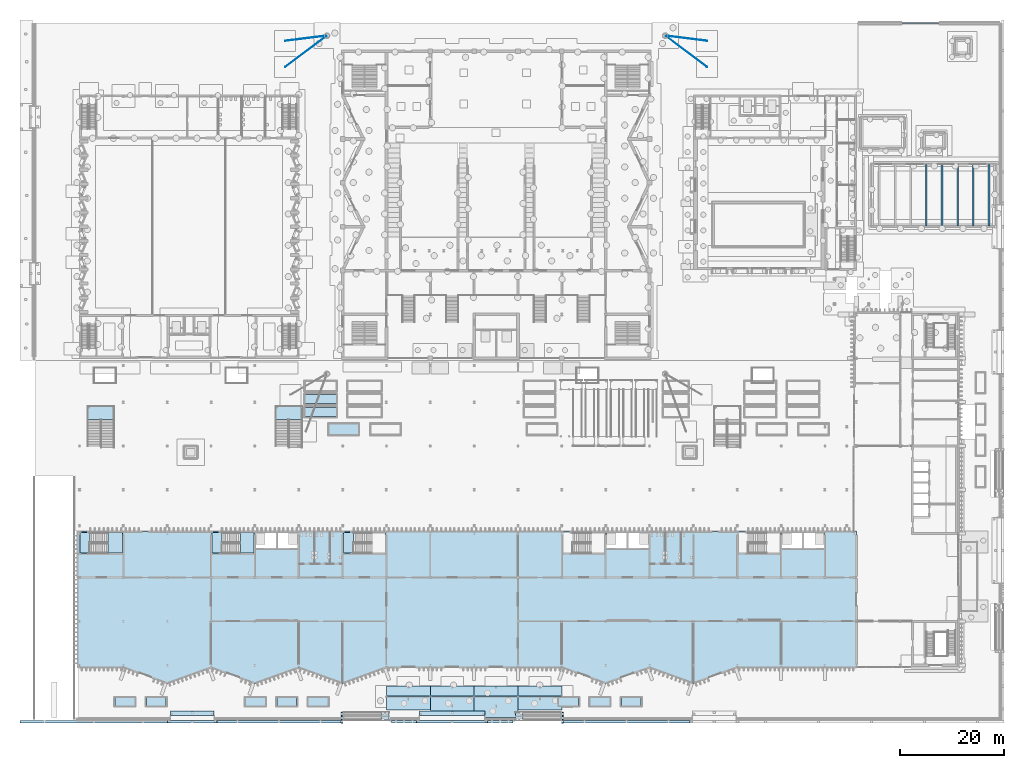
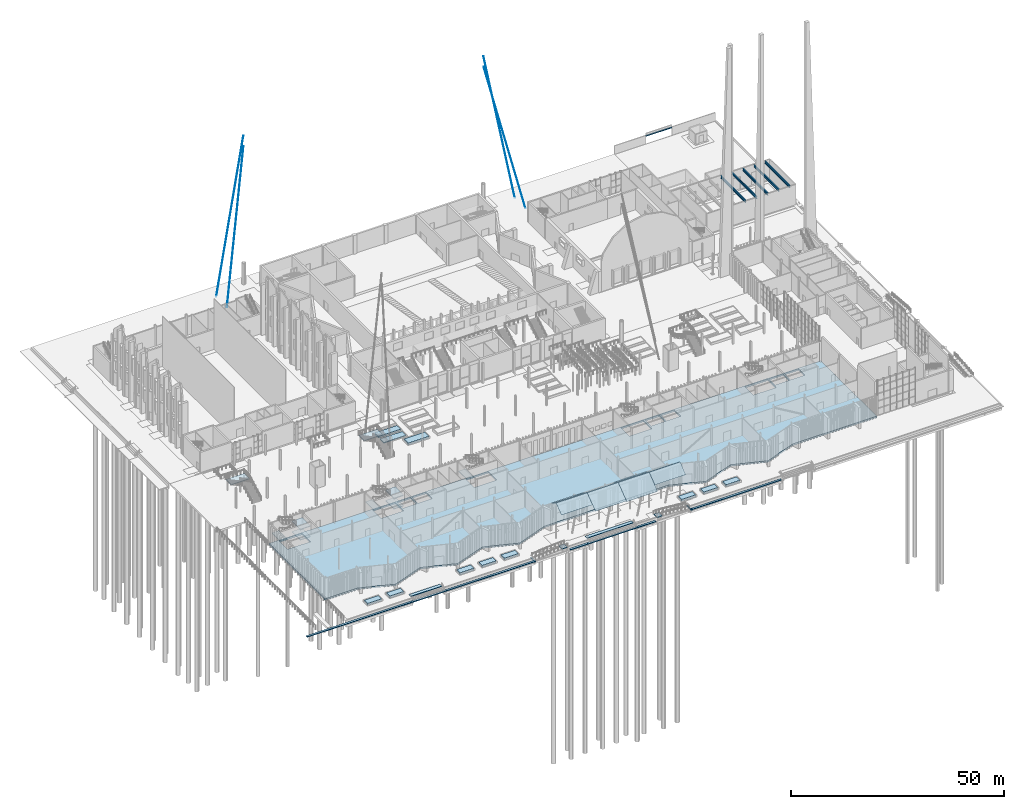
# One storey, part 45 of 108: 42 slabs, 6 beams, 4 members, 7 elements without a shape of their own.
"""IFC4 building model written with IfcOpenShell, lengths in metres."""

from ifc_helpers import new_model, si_unit, direction, frame, origin, origin_2d, place, context, subcontext, project, spatial, polyline, circle, i_section, outline, extrude, material, layer, layer_set, material_profile, profile_set, type_object, element, aggregate, save


model = new_model("IFC4")

# Units and contexts
model_context = context("Model", 3, precision=1e-05, world=origin(), true_north=direction((0.0, 1.0)))
body_context = subcontext(model_context, "Body", "Model", "MODEL_VIEW")
ifc_project = project(units=[si_unit("LENGTHUNIT", "METRE"), si_unit("AREAUNIT", "SQUARE_METRE"), si_unit("VOLUMEUNIT", "CUBIC_METRE"), si_unit("PLANEANGLEUNIT", "RADIAN"), si_unit("MASSUNIT", "GRAM", prefix="KILO")], contexts=[model_context])

# Site, building, storey
site_placement = place(None, origin())
site = spatial("IfcSite", under=ifc_project, at=site_placement, CompositionType="ELEMENT")
building_placement = place(site_placement, origin())
building = spatial("IfcBuilding", under=site, at=building_placement, Name="Cresset Court Congress Hotel", CompositionType="ELEMENT")
storey_placement = place(building_placement, origin())
storey = spatial("IfcBuildingStorey", under=building, at=storey_placement, Name="L00", CompositionType="ELEMENT", Elevation=0.0)

# Members
ifc_material_1 = material(Name="Structural steel Q355B", Category="steel")
ifc_material_profile_1 = material_profile(ifc_material_1, circle(Radius=0.035888671875, at=origin_2d()), Name="CABLE72")
ifc_profile_set_1 = profile_set([ifc_material_profile_1], Name="Structural steel Q355B")
member_type = type_object("IfcMemberType", Name="Back-tie cable 72", PredefinedType="USERDEFINED", material=ifc_profile_set_1)
member_1_placement = place(storey_placement, frame((120.692626953125, 120.58837890625, 42.30078125), z_axis=(0.182453047958, -0.022806630995, -0.982950020537), x_axis=(0.124034734589, 0.992277876714, 0.0)))
element("IfcMember", 1, at=member_1_placement, inside=storey, type_object=member_type, Name="Back-tie cable M3-1", ObjectType="CABLE", PredefinedType="USERDEFINED", context=body_context, shape_type="SweptSolid", body=[
    extrude(circle(Radius=0.035888671875, at=origin_2d()), origin(), (0.0, 0.0, 1.0), 43.3330078125),
])
member_2_placement = place(storey_placement, frame((120.6982421875, 120.5263671875, 39.30712890625), z_axis=(0.193572326793, -0.145182236199, -0.970284428708), x_axis=(0.600007911402, 0.799994066387, 0.0)))
element("IfcMember", 2, at=member_2_placement, inside=storey, type_object=member_type, Name="Back-tie cable M3-2", ObjectType="CABLE", PredefinedType="USERDEFINED", context=body_context, shape_type="SweptSolid", body=[
    extrude(circle(Radius=0.035888671875, at=origin_2d()), origin(), (0.0, 0.0, 1.0), 40.81103515625),
])
member_3_placement = place(storey_placement, frame((55.707275390625, 120.58837890625, 42.30078125), z_axis=(-0.182447601453, -0.022806654439, -0.982951030946), x_axis=(0.124038505902, -0.992277405292, 0.0)))
element("IfcMember", 3, at=member_3_placement, inside=storey, type_object=member_type, Name="Back-tie cable M4-1", ObjectType="CABLE", PredefinedType="USERDEFINED", context=body_context, shape_type="SweptSolid", body=[
    extrude(circle(Radius=0.035888671875, at=origin_2d()), origin(), (0.0, 0.0, 1.0), 43.3330078125),
])
member_4_placement = place(storey_placement, frame((55.70166015625, 120.5263671875, 39.30712890625), z_axis=(-0.193572326793, -0.145182236199, -0.970284428708), x_axis=(0.600007911402, -0.799994066387, 0.0)))
element("IfcMember", 4, at=member_4_placement, inside=storey, type_object=member_type, Name="Back-tie cable M4-2", ObjectType="CABLE", PredefinedType="USERDEFINED", context=body_context, shape_type="SweptSolid", body=[
    extrude(circle(Radius=0.035888671875, at=origin_2d()), origin(), (0.0, 0.0, 1.0), 40.81103515625),
])

# Beams
ifc_material_2 = material(Name="Structural steel Q355B", Category="steel")
ifc_material_profile_2 = material_profile(ifc_material_2, i_section(OverallWidth=0.14990234375, OverallDepth=0.300048828125, WebThickness=0.006591796875, FlangeThickness=0.009033203125, FilletRadius=0.012939453125, at=origin_2d()), Name="HN300x150x6.5x9")
ifc_profile_set_2 = profile_set([ifc_material_profile_2], Name="Structural steel Q355B")
beam_type_1 = type_object("IfcBeamType", Name="Steel beam HN300x150x6.5x9", PredefinedType="BEAM", material=ifc_profile_set_2)
beam_placement = place(storey_placement, frame((166.0, 123.0, 2.25), z_axis=(1.0, 0.0, 0.0), x_axis=(0.0, 1.0, 0.0)))
element("IfcBeam", 5, at=beam_placement, inside=storey, type_object=beam_type_1, Name="Gate lintel", PredefinedType="BEAM", context=body_context, shape_type="SweptSolid", body=[
    extrude(i_section(OverallWidth=0.14990234375, OverallDepth=0.300048828125, WebThickness=0.006591796875, FlangeThickness=0.009033203125, FilletRadius=0.012939453125, at=origin_2d()), origin(), (0.0, 0.0, 1.0), 7.0),
])
ifc_material_3 = material(Name="Structural steel Q355B", Category="steel")
ifc_material_profile_3 = material_profile(ifc_material_3, i_section(OverallWidth=0.300048828125, OverallDepth=0.699951171875, WebThickness=0.012939453125, FlangeThickness=0.02392578125, FilletRadius=0.01806640625, at=origin_2d()), Name="HN700x300x13x24")
ifc_profile_set_3 = profile_set([ifc_material_profile_3], Name="Structural steel Q355B")
beam_type_2 = type_object("IfcBeamType", Name="Steel beam HN700x300x13x24", PredefinedType="BEAM", material=ifc_profile_set_3)
for number, where, z_axis, x_axis, name in (
    (6, (170.625, 84.125, 5.39990234375), (0.0, 1.0, 0.0), (-1.0, 0.0, 0.0), "S.svc.DK.B04"),
    (7, (173.625, 84.125, 5.39990234375), (0.0, 1.0, 0.0), (-1.0, 0.0, 0.0), "S.svc.DK.B05"),
    (8, (176.625, 84.125, 5.39990234375), (0.0, 1.0, 0.0), (-1.0, 0.0, 0.0), "S.svc.DK.B06"),
    (9, (179.625, 84.125, 5.39990234375), (0.0, 1.0, 0.0), (-1.0, 0.0, 0.0), "S.svc.DK.B07"),
    (10, (182.625, 84.125, 5.39990234375), (0.0, 1.0, 0.0), (-1.0, 0.0, 0.0), "S.svc.DK.B08"),
):
    element("IfcBeam", number, at=place(storey_placement, frame(where, z_axis=z_axis, x_axis=x_axis)), inside=storey, type_object=beam_type_2, Name=name, PredefinedType="BEAM", context=body_context, shape_type="SweptSolid", body=[
        extrude(i_section(OverallWidth=0.300048828125, OverallDepth=0.699951171875, WebThickness=0.012939453125, FlangeThickness=0.02392578125, FilletRadius=0.01806640625, at=origin_2d()), origin(), (0.0, 0.0, 1.0), 11.75),
    ])

# Slabs
ifc_material_4 = material(Name="Concrete C50", Category="concrete")
ifc_layer_1 = layer(ifc_material_4, 0.1201171875)
ifc_layer_set_1 = layer_set([ifc_layer_1], Name="Forecourt canopy plate 120")
slab_type_1 = type_object("IfcSlabType", Name="Forecourt canopy plate 120", PredefinedType="ROOF", material=ifc_layer_set_1)
slab_1_placement = place(storey_placement, frame((67.199951171875, -5.9228515625, 10.07373046875), z_axis=(0.0, 0.514527776165, 0.857473712457), x_axis=(1.0, 0.0, 0.0)))
element("IfcSlab", 11, at=slab_1_placement, inside=storey, type_object=slab_type_1, Name="Forecourt canopy plate back 1", PredefinedType="ROOF", context=body_context, shape_type="SweptSolid", body=[
    extrude(outline(polyline([(0.0, 0.0), (8.400146484375, 0.0), (8.400146484375, 2.242461237662771), (0.0, 2.242461237662771), (0.0, 0.0)])), origin(), (0.0, 0.0, -1.0), 0.1201171875),
])
slab_2_placement = place(storey_placement, frame((67.199951171875, -6.0712890625, 10.065185546875), z_axis=(0.0, -0.609677476051, 0.792649591683), x_axis=(1.0, 0.0, 0.0)))
element("IfcSlab", 12, at=slab_2_placement, inside=storey, type_object=slab_type_1, Name="Forecourt canopy plate front 1", PredefinedType="ROOF", context=body_context, shape_type="SweptSolid", body=[
    extrude(outline(polyline([(0.0, 0.0), (8.400146484375, 0.0), (8.400146484375, -3.190323467372174), (0.0, -3.190323467372174), (0.0, 0.0)])), origin(), (0.0, 0.0, -1.0), 0.1201171875),
])
slab_3_placement = place(storey_placement, frame((75.60009765625, -5.93310546875, 10.059814453125), z_axis=(0.0, 0.668954358612, 0.743303481826), x_axis=(1.0, 0.0, 0.0)))
element("IfcSlab", 13, at=slab_3_placement, inside=storey, type_object=slab_type_1, Name="Forecourt canopy plate back 2", PredefinedType="ROOF", context=body_context, shape_type="SweptSolid", body=[
    extrude(outline(polyline([(0.0, 0.0), (8.39990234375, 0.0), (8.39990234375, 2.600694757950179), (0.0, 2.600694757950179), (0.0, 0.0)])), origin(), (0.0, 0.0, -1.0), 0.1201171875),
])
slab_4_placement = place(storey_placement, frame((75.60009765625, -6.072021484375, 10.06591796875), z_axis=(0.0, -0.59997613196, 0.800017900473), x_axis=(1.0, 0.0, 0.0)))
element("IfcSlab", 14, at=slab_4_placement, inside=storey, type_object=slab_type_1, Name="Forecourt canopy plate front 2", PredefinedType="ROOF", context=body_context, shape_type="SweptSolid", body=[
    extrude(outline(polyline([(0.0, 0.0), (8.39990234375, 0.0), (8.39990234375, -4.909863283435159), (0.0, -4.909863283435159), (0.0, 0.0)])), origin(), (0.0, 0.0, -1.0), 0.1201171875),
])
slab_5_placement = place(storey_placement, frame((84.0, -5.9228515625, 10.07373046875), z_axis=(0.0, 0.514527776165, 0.857473712457), x_axis=(1.0, 0.0, 0.0)))
element("IfcSlab", 15, at=slab_5_placement, inside=storey, type_object=slab_type_1, Name="Forecourt canopy plate back 3", PredefinedType="ROOF", context=body_context, shape_type="SweptSolid", body=[
    extrude(outline(polyline([(0.0, 0.0), (8.39990234375, 0.0), (8.39990234375, 2.2424612376627704), (0.0, 2.2424612376627704), (0.0, 0.0)])), origin(), (0.0, 0.0, -1.0), 0.1201171875),
])
slab_6_placement = place(storey_placement, frame((84.0, -6.0703125, 10.063720703125), z_axis=(0.0, -0.624700963747, 0.780864076452), x_axis=(1.0, 0.0, 0.0)))
element("IfcSlab", 16, at=slab_6_placement, inside=storey, type_object=slab_type_1, Name="Forecourt canopy plate front 3", PredefinedType="ROOF", context=body_context, shape_type="SweptSolid", body=[
    extrude(outline(polyline([(0.0, 0.0), (8.39990234375, 0.0), (8.39990234375, -5.032485958189687), (0.0, -5.032485958189687), (0.0, 0.0)])), origin(), (0.0, 0.0, -1.0), 0.1201171875),
])
slab_7_placement = place(storey_placement, frame((92.39990234375, -5.93310546875, 10.059814453125), z_axis=(0.0, 0.668954358612, 0.743303481826), x_axis=(1.0, 0.0, 0.0)))
element("IfcSlab", 17, at=slab_7_placement, inside=storey, type_object=slab_type_1, Name="Forecourt canopy plate back 4", PredefinedType="ROOF", context=body_context, shape_type="SweptSolid", body=[
    extrude(outline(polyline([(0.0, 0.0), (8.400146484375, 0.0), (8.400146484375, 2.6006947579501793), (0.0, 2.6006947579501793), (0.0, 0.0)])), origin(), (0.0, 0.0, -1.0), 0.1201171875),
])
slab_8_placement = place(storey_placement, frame((92.39990234375, -6.068603515625, 10.06201171875), z_axis=(0.0, -0.64595214219, 0.763377907724), x_axis=(1.0, 0.0, 0.0)))
element("IfcSlab", 18, at=slab_8_placement, inside=storey, type_object=slab_type_1, Name="Forecourt canopy plate front 4", PredefinedType="ROOF", context=body_context, shape_type="SweptSolid", body=[
    extrude(outline(polyline([(0.0, 0.0), (8.400146484375, 0.0), (8.400146484375, -3.3161742238181047), (0.0, -3.3161742238181047), (0.0, 0.0)])), origin(), (0.0, 0.0, -1.0), 0.1201171875),
])
ifc_material_5 = material(Name="Concrete C40", Category="concrete")
ifc_layer_2 = layer(ifc_material_5, 0.449951171875)
ifc_layer_set_2 = layer_set([ifc_layer_2], Name="Ground floor slab 450")
slab_type_2 = type_object("IfcSlabType", Name="Ground floor slab 450", PredefinedType="FLOOR", material=ifc_layer_set_2)
slab_9_placement = place(storey_placement, frame((0.0, 0.0, -0.449951171875)))
element("IfcSlab", 19, at=slab_9_placement, inside=storey, type_object=slab_type_2, Name="Ground floor slab", PredefinedType="FLOOR", context=body_context, shape_type="SweptSolid", body=[
    extrude(outline(polyline([(58.800048828125, -3.550048828125), (50.39990234375, -0.550048828125), (42.0, -3.550048828125), (33.60009765625, -0.550048828125), (25.199951171875, -3.550048828125), (16.800048828125, -0.5), (7.89990234375, -0.5), (7.89990234375, 25.699951171875), (157.199951171875, 25.699951171875), (157.199951171875, -0.5), (134.39990234375, -0.5), (126.0, -3.550048828125), (117.60009765625, -0.550048828125), (109.199951171875, -3.550048828125), (100.800048828125, -0.5), (67.199951171875, -0.5), (58.800048828125, -3.550048828125)]), holes=[polyline([(10.380859375, 21.449951171875), (16.64990234375, 21.449951171875), (16.64990234375, 25.39990234375), (10.380859375, 25.39990234375), (10.380859375, 21.449951171875)]), polyline([(35.70068359375, 21.449951171875), (41.85009765625, 21.449951171875), (41.85009765625, 25.39990234375), (35.70068359375, 25.39990234375), (35.70068359375, 21.449951171875)]), polyline([(60.90087890625, 21.449951171875), (67.050048828125, 21.449951171875), (67.050048828125, 25.39990234375), (60.90087890625, 25.39990234375), (60.90087890625, 21.449951171875)]), polyline([(102.90087890625, 21.449951171875), (109.050048828125, 21.449951171875), (109.050048828125, 25.39990234375), (102.90087890625, 25.39990234375), (102.90087890625, 21.449951171875)]), polyline([(136.500732421875, 21.449951171875), (142.64990234375, 21.449951171875), (142.64990234375, 25.39990234375), (136.500732421875, 25.39990234375), (136.500732421875, 21.449951171875)]), polyline([(42.199951171875, 22.449951171875), (46.050048828125, 22.449951171875), (46.050048828125, 25.39990234375), (42.199951171875, 25.39990234375), (42.199951171875, 22.449951171875)]), polyline([(46.35009765625, 22.449951171875), (50.199951171875, 22.449951171875), (50.199951171875, 25.39990234375), (46.35009765625, 25.39990234375), (46.35009765625, 22.449951171875)]), polyline([(109.39990234375, 22.449951171875), (113.25, 22.449951171875), (113.25, 25.39990234375), (109.39990234375, 25.39990234375), (109.39990234375, 22.449951171875)]), polyline([(113.550048828125, 22.449951171875), (117.39990234375, 22.449951171875), (117.39990234375, 25.39990234375), (113.550048828125, 25.39990234375), (113.550048828125, 22.449951171875)]), polyline([(143.0, 22.449951171875), (146.85009765625, 22.449951171875), (146.85009765625, 25.39990234375), (143.0, 25.39990234375), (143.0, 22.449951171875)]), polyline([(147.14990234375, 22.449951171875), (151.0, 22.449951171875), (151.0, 25.39990234375), (147.14990234375, 25.39990234375), (147.14990234375, 22.449951171875)])]), origin(), (0.0, 0.0, 1.0), 0.449951171875),
])
ifc_material_6 = material(Name="Concrete C35", Category="concrete")
ifc_layer_3 = layer(ifc_material_6, 0.199951171875)
ifc_layer_set_3 = layer_set([ifc_layer_3], Name="Landing slab 200")
slab_type_3 = type_object("IfcSlabType", Name="Landing slab 200", PredefinedType="LANDING", material=ifc_layer_set_3)
slab_10_placement = place(storey_placement, frame((0.0, 0.0, -0.800048828125)))
element("IfcSlab", 20, at=slab_10_placement, inside=storey, type_object=slab_type_3, Name="Step foot landing S1", PredefinedType="LANDING", context=body_context, shape_type="SweptSolid", body=[
    extrude(outline(polyline([(25.300048828125, -11.097900390625), (34.699951171875, -11.097900390625), (34.699951171875, -10.550048828125), (25.300048828125, -10.550048828125), (25.300048828125, -11.097900390625)])), origin(), (0.0, 0.0, 1.0), 0.199951171875),
])
slab_11_placement = place(storey_placement, frame((0.0, 0.0, -0.800048828125)))
element("IfcSlab", 21, at=slab_11_placement, inside=storey, type_object=slab_type_3, Name="Step foot landing S2", PredefinedType="LANDING", context=body_context, shape_type="SweptSolid", body=[
    extrude(outline(polyline([(73.0, -11.097900390625), (86.60009765625, -11.097900390625), (86.60009765625, -10.550048828125), (73.0, -10.550048828125), (73.0, -11.097900390625)])), origin(), (0.0, 0.0, 1.0), 0.199951171875),
])
slab_12_placement = place(storey_placement, frame((0.0, 0.0, -0.199951171875)))
element("IfcSlab", 22, at=slab_12_placement, inside=storey, type_object=slab_type_3, Name="Step landing T", PredefinedType="LANDING", context=body_context, shape_type="SweptSolid", body=[
    extrude(outline(polyline([(25.800048828125, -9.64990234375), (34.199951171875, -9.64990234375), (34.199951171875, -8.75), (25.800048828125, -8.75), (25.800048828125, -9.64990234375)])), origin(), (0.0, 0.0, 1.0), 0.199951171875),
])
slab_13_placement = place(storey_placement, frame((0.0, 0.0, -0.199951171875)))
element("IfcSlab", 23, at=slab_13_placement, inside=storey, type_object=slab_type_3, Name="Step landing T", PredefinedType="LANDING", context=body_context, shape_type="SweptSolid", body=[
    extrude(outline(polyline([(73.5, -9.64990234375), (86.10009765625, -9.64990234375), (86.10009765625, -8.75), (73.5, -8.75), (73.5, -9.64990234375)])), origin(), (0.0, 0.0, 1.0), 0.199951171875),
])
slab_14_placement = place(storey_placement, frame((0.0, 0.0, -0.800048828125)))
element("IfcSlab", 24, at=slab_14_placement, inside=storey, type_object=slab_type_3, Name="Ramp foot landing S01", PredefinedType="LANDING", context=body_context, shape_type="SweptSolid", body=[
    extrude(outline(polyline([(58.5, -11.097900390625), (58.800048828125, -11.097900390625), (58.800048828125, -9.050048828125), (58.5, -9.050048828125), (58.5, -11.097900390625)])), origin(), (0.0, 0.0, 1.0), 0.199951171875),
])
slab_15_placement = place(storey_placement, frame((0.0, 0.0, -0.800048828125)))
element("IfcSlab", 25, at=slab_15_placement, inside=storey, type_object=slab_type_3, Name="Ramp foot landing S02", PredefinedType="LANDING", context=body_context, shape_type="SweptSolid", body=[
    extrude(outline(polyline([(100.800048828125, -11.097900390625), (101.10009765625, -11.097900390625), (101.10009765625, -9.050048828125), (100.800048828125, -9.050048828125), (100.800048828125, -11.097900390625)])), origin(), (0.0, 0.0, 1.0), 0.199951171875),
])

# Ramp, slab
ifc_material_7 = material(Name="Concrete C35", Category="concrete")
ramp_type = type_object("IfcRampType", Name="Ramp 1:12", PredefinedType="STRAIGHT_RUN_RAMP", material=ifc_material_7)
ramp_1_placement = place(storey_placement, origin())
ramp_1 = element("IfcRamp", 26, at=ramp_1_placement, inside=storey, type_object=ramp_type, Name="Entrance ramp S01", PredefinedType="STRAIGHT_RUN_RAMP")
ifc_material_8 = material(Name="Concrete C35", Category="concrete")
ifc_layer_4 = layer(ifc_material_8, 0.20068359375)
ifc_layer_set_4 = layer_set([ifc_layer_4], Name="Landing slab 201")
slab_type_4 = type_object("IfcSlabType", Name="Landing slab 201", PredefinedType="LANDING", material=ifc_layer_set_4)
slab_16_placement = place(storey_placement, frame((0.0, 0.0, -0.20068359375)))
slab_16 = element("IfcSlab", 27, at=slab_16_placement, type_object=slab_type_4, Name="S.ramp.L00.S01.L1", PredefinedType="LANDING", context=body_context, shape_type="SweptSolid", body=[
    extrude(outline(polyline([(66.199951171875, -9.050048828125), (66.199951171875, -10.550048828125), (67.699951171875, -10.550048828125), (67.699951171875, -9.050048828125), (66.199951171875, -9.050048828125)])), origin(), (0.0, 0.0, 1.0), 0.20068359375),
])
aggregate(ramp_1, [slab_16])

ramp_2_placement = place(storey_placement, origin())
ramp_2 = element("IfcRamp", 28, at=ramp_2_placement, inside=storey, type_object=ramp_type, Name="Entrance ramp S02", PredefinedType="STRAIGHT_RUN_RAMP")
slab_17_placement = place(storey_placement, frame((0.0, 0.0, -0.20068359375)))
slab_17 = element("IfcSlab", 29, at=slab_17_placement, type_object=slab_type_4, Name="S.ramp.L00.S02.L1", PredefinedType="LANDING", context=body_context, shape_type="SweptSolid", body=[
    extrude(outline(polyline([(93.39990234375, -10.550048828125), (93.39990234375, -9.050048828125), (91.89990234375, -9.050048828125), (91.89990234375, -10.550048828125), (93.39990234375, -10.550048828125)])), origin(), (0.0, 0.0, 1.0), 0.20068359375),
])
aggregate(ramp_2, [slab_17])

# Slabs
ifc_material_9 = material(Name="Planting soil")
ifc_layer_5 = layer(ifc_material_9, 0.25)
ifc_layer_set_5 = layer_set([ifc_layer_5], Name="Planter soil 250")
slab_type_5 = type_object("IfcSlabType", Name="Planter soil 250", PredefinedType="FLOOR", material=ifc_layer_set_5)
slab_18_placement = place(storey_placement, origin())
element("IfcSlab", 30, at=slab_18_placement, inside=storey, type_object=slab_type_5, Name="Terrace planting bed 01", PredefinedType="FLOOR", context=body_context, shape_type="SweptSolid", body=[
    extrude(outline(polyline([(51.60009765625, 47.60009765625), (57.60009765625, 47.60009765625), (57.60009765625, 49.39990234375), (51.60009765625, 49.39990234375), (51.60009765625, 47.60009765625)])), origin(), (0.0, 0.0, 1.0), 0.25),
])
ifc_material_10 = material(Name="Planting soil")
ifc_layer_6 = layer(ifc_material_10, 0.449951171875)
ifc_layer_set_6 = layer_set([ifc_layer_6], Name="Planter soil 450")
slab_type_6 = type_object("IfcSlabType", Name="Planter soil 450", PredefinedType="FLOOR", material=ifc_layer_set_6)
slab_19_placement = place(storey_placement, origin())
element("IfcSlab", 31, at=slab_19_placement, inside=storey, type_object=slab_type_6, Name="Terrace planting bed 02", PredefinedType="FLOOR", context=body_context, shape_type="SweptSolid", body=[
    extrude(outline(polyline([(51.60009765625, 50.10009765625), (57.60009765625, 50.10009765625), (57.60009765625, 51.89990234375), (51.60009765625, 51.89990234375), (51.60009765625, 50.10009765625)])), origin(), (0.0, 0.0, 1.0), 0.449951171875),
])
ifc_material_11 = material(Name="Planting soil")
ifc_layer_7 = layer(ifc_material_11, 0.550048828125)
ifc_layer_set_7 = layer_set([ifc_layer_7], Name="Planter soil 550")
slab_type_7 = type_object("IfcSlabType", Name="Planter soil 550", PredefinedType="FLOOR", material=ifc_layer_set_7)
slab_20_placement = place(storey_placement, origin())
element("IfcSlab", 32, at=slab_20_placement, inside=storey, type_object=slab_type_7, Name="Planting bed 01", PredefinedType="FLOOR", context=body_context, shape_type="SweptSolid", body=[
    extrude(outline(polyline([(40.199951171875, -7.800048828125), (44.0, -7.800048828125), (44.0, -6.199951171875), (40.199951171875, -6.199951171875), (40.199951171875, -7.800048828125)])), origin(), (0.0, 0.0, 1.0), 0.550048828125),
])
slab_21_placement = place(storey_placement, origin())
element("IfcSlab", 33, at=slab_21_placement, inside=storey, type_object=slab_type_7, Name="Planting bed 02", PredefinedType="FLOOR", context=body_context, shape_type="SweptSolid", body=[
    extrude(outline(polyline([(46.199951171875, -7.800048828125), (50.0, -7.800048828125), (50.0, -6.199951171875), (46.199951171875, -6.199951171875), (46.199951171875, -7.800048828125)])), origin(), (0.0, 0.0, 1.0), 0.550048828125),
])
slab_22_placement = place(storey_placement, origin())
element("IfcSlab", 34, at=slab_22_placement, inside=storey, type_object=slab_type_7, Name="Planting bed 03", PredefinedType="FLOOR", context=body_context, shape_type="SweptSolid", body=[
    extrude(outline(polyline([(52.199951171875, -7.800048828125), (56.0, -7.800048828125), (56.0, -6.199951171875), (52.199951171875, -6.199951171875), (52.199951171875, -7.800048828125)])), origin(), (0.0, 0.0, 1.0), 0.550048828125),
])
slab_23_placement = place(storey_placement, origin())
element("IfcSlab", 35, at=slab_23_placement, inside=storey, type_object=slab_type_7, Name="Planting bed 04", PredefinedType="FLOOR", context=body_context, shape_type="SweptSolid", body=[
    extrude(outline(polyline([(100.199951171875, -7.800048828125), (104.0, -7.800048828125), (104.0, -6.199951171875), (100.199951171875, -6.199951171875), (100.199951171875, -7.800048828125)])), origin(), (0.0, 0.0, 1.0), 0.550048828125),
])
slab_24_placement = place(storey_placement, origin())
element("IfcSlab", 36, at=slab_24_placement, inside=storey, type_object=slab_type_7, Name="Planting bed 05", PredefinedType="FLOOR", context=body_context, shape_type="SweptSolid", body=[
    extrude(outline(polyline([(106.199951171875, -7.800048828125), (110.0, -7.800048828125), (110.0, -6.199951171875), (106.199951171875, -6.199951171875), (106.199951171875, -7.800048828125)])), origin(), (0.0, 0.0, 1.0), 0.550048828125),
])
slab_25_placement = place(storey_placement, origin())
element("IfcSlab", 37, at=slab_25_placement, inside=storey, type_object=slab_type_7, Name="Planting bed 06", PredefinedType="FLOOR", context=body_context, shape_type="SweptSolid", body=[
    extrude(outline(polyline([(112.199951171875, -7.800048828125), (116.0, -7.800048828125), (116.0, -6.199951171875), (112.199951171875, -6.199951171875), (112.199951171875, -7.800048828125)])), origin(), (0.0, 0.0, 1.0), 0.550048828125),
])
slab_26_placement = place(storey_placement, origin())
element("IfcSlab", 38, at=slab_26_placement, inside=storey, type_object=slab_type_7, Name="Planting bed 07", PredefinedType="FLOOR", context=body_context, shape_type="SweptSolid", body=[
    extrude(outline(polyline([(15.199951171875, -7.800048828125), (19.0, -7.800048828125), (19.0, -6.199951171875), (15.199951171875, -6.199951171875), (15.199951171875, -7.800048828125)])), origin(), (0.0, 0.0, 1.0), 0.550048828125),
])
slab_27_placement = place(storey_placement, origin())
element("IfcSlab", 39, at=slab_27_placement, inside=storey, type_object=slab_type_7, Name="Planting bed 08", PredefinedType="FLOOR", context=body_context, shape_type="SweptSolid", body=[
    extrude(outline(polyline([(21.199951171875, -7.800048828125), (25.0, -7.800048828125), (25.0, -6.199951171875), (21.199951171875, -6.199951171875), (21.199951171875, -7.800048828125)])), origin(), (0.0, 0.0, 1.0), 0.550048828125),
])
slab_28_placement = place(storey_placement, origin())
element("IfcSlab", 40, at=slab_28_placement, inside=storey, type_object=slab_type_7, Name="Planting bed 13", PredefinedType="FLOOR", context=body_context, shape_type="SweptSolid", body=[
    extrude(outline(polyline([(56.199951171875, 44.199951171875), (61.800048828125, 44.199951171875), (61.800048828125, 46.199951171875), (56.199951171875, 46.199951171875), (56.199951171875, 44.199951171875)])), origin(), (0.0, 0.0, 1.0), 0.550048828125),
])

# Stair, slab
ifc_material_12 = material(Name="Concrete C35", Category="concrete")
stair_type_1 = type_object("IfcStairType", Name="Deck stair", PredefinedType="HALF_TURN_STAIR", material=ifc_material_12)
stair_1_placement = place(storey_placement, origin())
stair_1 = element("IfcStair", 41, at=stair_1_placement, inside=storey, type_object=stair_type_1, Name="Deck stair D01", PredefinedType="HALF_TURN_STAIR")
ifc_material_13 = material(Name="Concrete C40", Category="concrete")
ifc_layer_8 = layer(ifc_material_13, 0.199951171875)
ifc_layer_set_8 = layer_set([ifc_layer_8], Name="Stair landing 200")
slab_type_8 = type_object("IfcSlabType", Name="Stair landing 200", PredefinedType="LANDING", material=ifc_layer_set_8)
slab_29_placement = place(storey_placement, frame((0.0, 0.0, 2.881103515625)))
slab_29 = element("IfcSlab", 42, at=slab_29_placement, type_object=slab_type_8, Name="S-ST2 landing 1", PredefinedType="LANDING", context=body_context, shape_type="SweptSolid", body=[
    extrude(outline(polyline([(10.0, 47.10009765625), (15.0, 47.10009765625), (15.0, 49.60009765625), (10.0, 49.60009765625), (10.0, 47.10009765625)])), origin(), (0.0, 0.0, 1.0), 0.199951171875),
])
aggregate(stair_1, [slab_29])

stair_2_placement = place(storey_placement, origin())
stair_2 = element("IfcStair", 43, at=stair_2_placement, inside=storey, type_object=stair_type_1, Name="Deck stair D02", PredefinedType="HALF_TURN_STAIR")
slab_30_placement = place(storey_placement, frame((0.0, 0.0, 2.881103515625)))
slab_30 = element("IfcSlab", 44, at=slab_30_placement, type_object=slab_type_8, Name="S-ST2 landing 1", PredefinedType="LANDING", context=body_context, shape_type="SweptSolid", body=[
    extrude(outline(polyline([(46.0, 47.10009765625), (51.0, 47.10009765625), (51.0, 49.60009765625), (46.0, 49.60009765625), (46.0, 47.10009765625)])), origin(), (0.0, 0.0, 1.0), 0.199951171875),
])
aggregate(stair_2, [slab_30])

# Stair, slabs
ifc_material_14 = material(Name="Concrete C40", Category="concrete")
stair_type_2 = type_object("IfcStairType", Name="Dog-leg stair 1400 flights", PredefinedType="HALF_TURN_STAIR", material=ifc_material_14)
stair_3_placement = place(storey_placement, origin())
stair_3 = element("IfcStair", 45, at=stair_3_placement, inside=storey, type_object=stair_type_2, Name="L00 Stair ST-B1", PredefinedType="HALF_TURN_STAIR")
slab_31_placement = place(storey_placement, frame((0.0, 0.0, 1.300048828125)))
slab_31 = element("IfcSlab", 46, at=slab_31_placement, type_object=slab_type_8, Name="ST-B1 landing 1", PredefinedType="LANDING", context=body_context, shape_type="SweptSolid", body=[
    extrude(outline(polyline([(13.8798828125, 21.449951171875), (16.64990234375, 21.449951171875), (16.64990234375, 25.39990234375), (13.8798828125, 25.39990234375), (13.8798828125, 21.449951171875)])), origin(), (0.0, 0.0, 1.0), 0.199951171875),
])
slab_32_placement = place(storey_placement, frame((0.0, 0.0, 2.800048828125)))
slab_32 = element("IfcSlab", 47, at=slab_32_placement, type_object=slab_type_8, Name="ST-B1 landing 2", PredefinedType="LANDING", context=body_context, shape_type="SweptSolid", body=[
    extrude(outline(polyline([(8.47998046875, 21.449951171875), (10.3798828125, 21.449951171875), (10.3798828125, 25.39990234375), (8.47998046875, 25.39990234375), (8.47998046875, 21.449951171875)])), origin(), (0.0, 0.0, 1.0), 0.199951171875),
])
slab_33_placement = place(storey_placement, frame((0.0, 0.0, 4.300048828125)))
slab_33 = element("IfcSlab", 48, at=slab_33_placement, type_object=slab_type_8, Name="ST-B1 landing 3", PredefinedType="LANDING", context=body_context, shape_type="SweptSolid", body=[
    extrude(outline(polyline([(13.8798828125, 21.449951171875), (16.64990234375, 21.449951171875), (16.64990234375, 25.39990234375), (13.8798828125, 25.39990234375), (13.8798828125, 21.449951171875)])), origin(), (0.0, 0.0, 1.0), 0.199951171875),
])
aggregate(stair_3, [slab_31, slab_32, slab_33])

stair_4_placement = place(storey_placement, origin())
stair_4 = element("IfcStair", 49, at=stair_4_placement, inside=storey, type_object=stair_type_2, Name="L00 Stair ST-B2", PredefinedType="HALF_TURN_STAIR")
slab_34_placement = place(storey_placement, frame((0.0, 0.0, 1.300048828125)))
slab_34 = element("IfcSlab", 50, at=slab_34_placement, type_object=slab_type_8, Name="ST-B2 landing 1", PredefinedType="LANDING", context=body_context, shape_type="SweptSolid", body=[
    extrude(outline(polyline([(39.199951171875, 21.449951171875), (41.85009765625, 21.449951171875), (41.85009765625, 25.39990234375), (39.199951171875, 25.39990234375), (39.199951171875, 21.449951171875)])), origin(), (0.0, 0.0, 1.0), 0.199951171875),
])
slab_35_placement = place(storey_placement, frame((0.0, 0.0, 2.800048828125)))
slab_35 = element("IfcSlab", 51, at=slab_35_placement, type_object=slab_type_8, Name="ST-B2 landing 2", PredefinedType="LANDING", context=body_context, shape_type="SweptSolid", body=[
    extrude(outline(polyline([(33.800048828125, 21.449951171875), (35.699951171875, 21.449951171875), (35.699951171875, 25.39990234375), (33.800048828125, 25.39990234375), (33.800048828125, 21.449951171875)])), origin(), (0.0, 0.0, 1.0), 0.199951171875),
])
slab_36_placement = place(storey_placement, frame((0.0, 0.0, 4.300048828125)))
slab_36 = element("IfcSlab", 52, at=slab_36_placement, type_object=slab_type_8, Name="ST-B2 landing 3", PredefinedType="LANDING", context=body_context, shape_type="SweptSolid", body=[
    extrude(outline(polyline([(39.199951171875, 21.449951171875), (41.85009765625, 21.449951171875), (41.85009765625, 25.39990234375), (39.199951171875, 25.39990234375), (39.199951171875, 21.449951171875)])), origin(), (0.0, 0.0, 1.0), 0.199951171875),
])
aggregate(stair_4, [slab_34, slab_35, slab_36])

# Stair, slab
stair_5_placement = place(storey_placement, origin())
stair_5 = element("IfcStair", 53, at=stair_5_placement, inside=storey, type_object=stair_type_2, Name="L00 Stair ST-B3", PredefinedType="HALF_TURN_STAIR")
slab_37_placement = place(storey_placement, frame((0.0, 0.0, 2.800048828125)))
slab_37 = element("IfcSlab", 54, at=slab_37_placement, type_object=slab_type_8, Name="ST-B3 landing 2", PredefinedType="LANDING", context=body_context, shape_type="SweptSolid", body=[
    extrude(outline(polyline([(59.0, 21.449951171875), (60.89990234375, 21.449951171875), (60.89990234375, 25.39990234375), (59.0, 25.39990234375), (59.0, 21.449951171875)])), origin(), (0.0, 0.0, 1.0), 0.199951171875),
])
aggregate(stair_5, [slab_37])

# Slabs
ifc_material_15 = material(Name="Concrete C35", Category="concrete")
ifc_layer_9 = layer(ifc_material_15, 0.199951171875)
ifc_layer_set_9 = layer_set([ifc_layer_9], Name="Street apron slab 200")
slab_type_9 = type_object("IfcSlabType", Name="Street apron slab 200", PredefinedType="FLOOR", material=ifc_layer_set_9)
slab_38_placement = place(storey_placement, frame((0.0, 0.0, -0.800048828125)))
element("IfcSlab", 55, at=slab_38_placement, inside=storey, type_object=slab_type_9, Name="Street apron S01", PredefinedType="FLOOR", context=body_context, shape_type="SweptSolid", body=[
    extrude(outline(polyline([(-2.998046875, -11.097900390625), (25.300048828125, -11.097900390625), (25.300048828125, -10.550048828125), (-2.998046875, -10.550048828125), (-2.998046875, -11.097900390625)])), origin(), (0.0, 0.0, 1.0), 0.199951171875),
])
slab_39_placement = place(storey_placement, frame((0.0, 0.0, -0.800048828125)))
element("IfcSlab", 56, at=slab_39_placement, inside=storey, type_object=slab_type_9, Name="Street apron S02", PredefinedType="FLOOR", context=body_context, shape_type="SweptSolid", body=[
    extrude(outline(polyline([(34.699951171875, -11.097900390625), (58.5, -11.097900390625), (58.5, -10.550048828125), (34.699951171875, -10.550048828125), (34.699951171875, -11.097900390625)])), origin(), (0.0, 0.0, 1.0), 0.199951171875),
])
slab_40_placement = place(storey_placement, frame((0.0, 0.0, -0.800048828125)))
element("IfcSlab", 57, at=slab_40_placement, inside=storey, type_object=slab_type_9, Name="Street apron S03", PredefinedType="FLOOR", context=body_context, shape_type="SweptSolid", body=[
    extrude(outline(polyline([(68.199951171875, -11.097900390625), (73.0, -11.097900390625), (73.0, -10.550048828125), (68.199951171875, -10.550048828125), (68.199951171875, -11.097900390625)])), origin(), (0.0, 0.0, 1.0), 0.199951171875),
])
slab_41_placement = place(storey_placement, frame((0.0, 0.0, -0.800048828125)))
element("IfcSlab", 58, at=slab_41_placement, inside=storey, type_object=slab_type_9, Name="Street apron S04", PredefinedType="FLOOR", context=body_context, shape_type="SweptSolid", body=[
    extrude(outline(polyline([(86.60009765625, -11.097900390625), (91.39990234375, -11.097900390625), (91.39990234375, -10.550048828125), (86.60009765625, -10.550048828125), (86.60009765625, -11.097900390625)])), origin(), (0.0, 0.0, 1.0), 0.199951171875),
])
slab_42_placement = place(storey_placement, frame((0.0, 0.0, -0.800048828125)))
element("IfcSlab", 59, at=slab_42_placement, inside=storey, type_object=slab_type_9, Name="Street apron S05", PredefinedType="FLOOR", context=body_context, shape_type="SweptSolid", body=[
    extrude(outline(polyline([(101.10009765625, -11.097900390625), (125.300048828125, -11.097900390625), (125.300048828125, -10.550048828125), (101.10009765625, -10.550048828125), (101.10009765625, -11.097900390625)])), origin(), (0.0, 0.0, 1.0), 0.199951171875),
])

save(model, "model.ifc")
